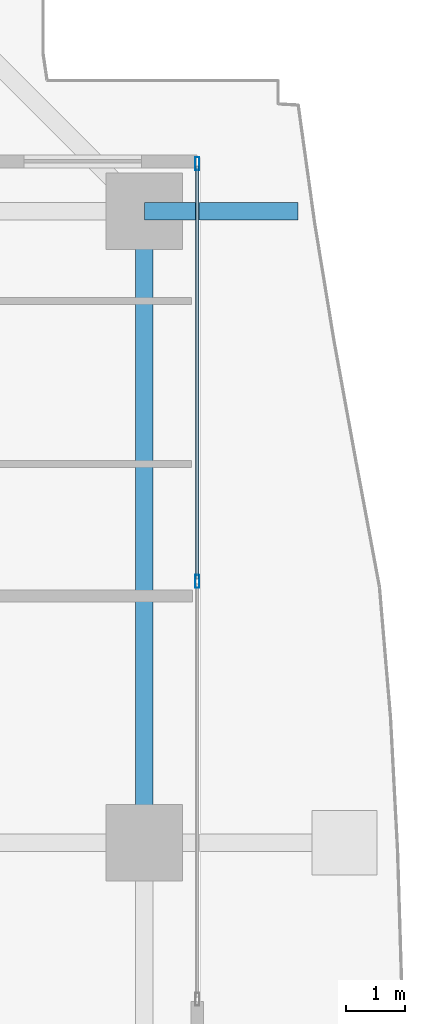
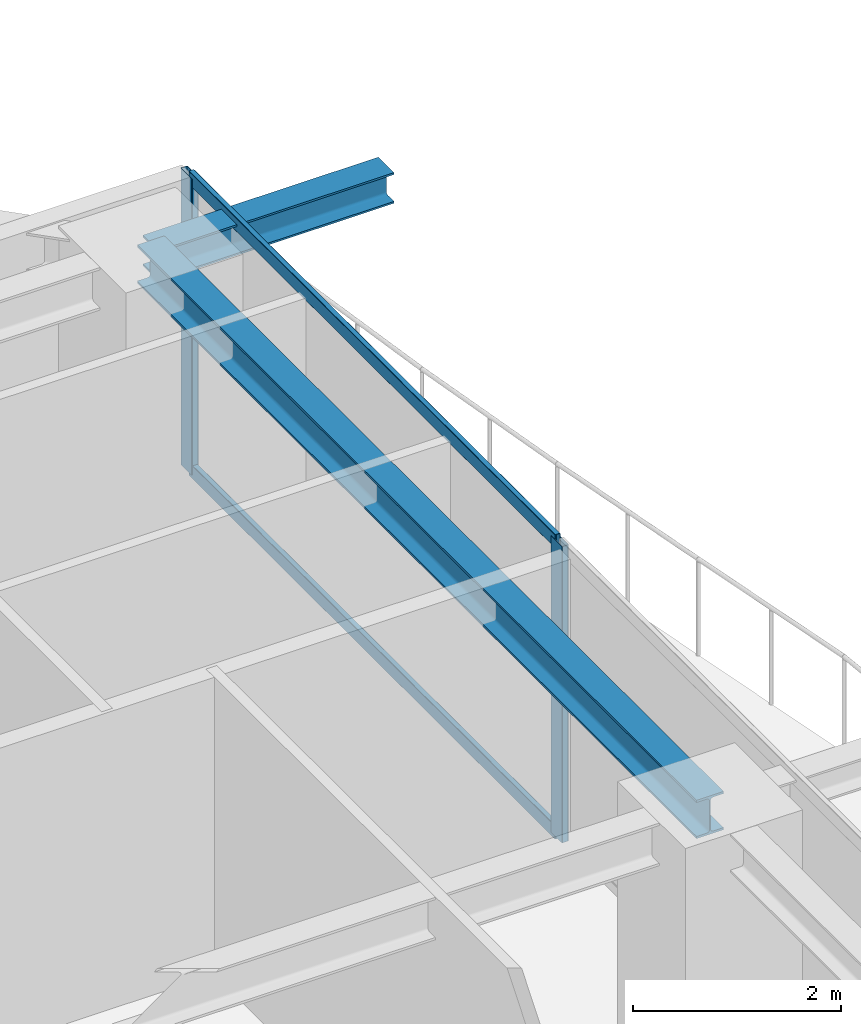
# One storey, part 22 of 35: 4 members, 2 beams, 1 element without a shape of its own.
"""IFC4 building model written with IfcOpenShell, lengths in metres."""

from ifc_helpers import new_model, si_unit, direction, frame, origin, origin_2d, place, context, subcontext, project, spatial, hollow_rectangle, i_section, extrude, source, transform, mapped, material, layer, layer_set, material_profile, profile_set, type_object, element, aggregate, save


model = new_model("IFC4")

# Units and contexts
model_context = context("Model", 3, precision=1e-05, world=origin(), true_north=direction((0.0, 1.0)))
body_context = subcontext(model_context, "Body", "Model", "MODEL_VIEW")
ifc_project = project(units=[si_unit("LENGTHUNIT", "METRE"), si_unit("AREAUNIT", "SQUARE_METRE"), si_unit("VOLUMEUNIT", "CUBIC_METRE"), si_unit("PLANEANGLEUNIT", "RADIAN"), si_unit("MASSUNIT", "GRAM", prefix="KILO")], contexts=[model_context])

# Site, building, storey
site_placement = place(None, origin())
site = spatial("IfcSite", under=ifc_project, at=site_placement, CompositionType="ELEMENT")
building_placement = place(site_placement, origin())
building = spatial("IfcBuilding", under=site, at=building_placement, Name="Serunith Strait Residences", CompositionType="ELEMENT")
storey_placement = place(building_placement, frame((0.0, 0.0, 191.39990234375)))
storey = spatial("IfcBuildingStorey", under=building, at=storey_placement, Name="L48", CompositionType="ELEMENT", Elevation=191.39990234375)

# Beams
ifc_material_1 = material(Name="Steel S355J2", Category="steel")
ifc_material_profile_1 = material_profile(ifc_material_1, i_section(OverallWidth=0.300048828125, OverallDepth=0.449951171875, WebThickness=0.013916015625, FlangeThickness=0.02587890625, FilletRadius=0.027099609375, at=origin_2d()), Name="HEB 450")
ifc_profile_set_1 = profile_set([ifc_material_profile_1], Name="Steel S355J2")
beam_type_1 = type_object("IfcBeamType", Name="BM-HEB450", PredefinedType="BEAM", material=ifc_profile_set_1)
shared_shape_1 = source(origin(), body_context, "Body", "SweptSolid", [
    extrude(i_section(OverallWidth=0.300048828125, OverallDepth=0.449951171875, WebThickness=0.013916015625, FlangeThickness=0.02587890625, FilletRadius=0.027099609375, at=origin_2d()), origin(), (0.0, 0.0, 1.0), 10.75),
])
beam_1_placement = place(storey_placement, frame((56.10009765625, 29.39990234375, 3.26220703125), z_axis=(0.0, 1.0, 0.0), x_axis=(-1.0, 0.0, 0.0)))
element("IfcBeam", 1, at=beam_1_placement, inside=storey, type_object=beam_type_1, Name="L48 Perimeter Ring Beam 07", PredefinedType="BEAM", context=body_context, shape_type="MappedRepresentation", body=[
    mapped(shared_shape_1, transform((0.0, 0.0, 0.0), scale=1.0)),
])
ifc_material_profile_2 = material_profile(ifc_material_1, i_section(OverallWidth=0.300048828125, OverallDepth=0.360107421875, WebThickness=0.012451171875, FlangeThickness=0.0224609375, FilletRadius=0.027099609375, at=origin_2d()), Name="HEB 360")
ifc_profile_set_2 = profile_set([ifc_material_profile_2], Name="Steel S355J2")
beam_type_2 = type_object("IfcBeamType", Name="BM-HEB360", PredefinedType="BEAM", material=ifc_profile_set_2)
shared_shape_2 = source(origin(), body_context, "Body", "SweptSolid", [
    extrude(i_section(OverallWidth=0.300048828125, OverallDepth=0.360107421875, WebThickness=0.012451171875, FlangeThickness=0.0224609375, FilletRadius=0.027099609375, at=origin_2d()), origin(), (0.0, 0.0, 1.0), 2.612060546875),
])
beam_2_placement = place(storey_placement, frame((56.10009765625, 40.14990234375, 3.277099609375), z_axis=(1.0, 0.0, 0.0), x_axis=(0.0, 1.0, 0.0)))
element("IfcBeam", 2, at=beam_2_placement, inside=storey, type_object=beam_type_2, Name="L49 Cantilevered Balcony Rib TC-E4", PredefinedType="BEAM", context=body_context, shape_type="MappedRepresentation", body=[
    mapped(shared_shape_2, transform((0.0, 0.0, 0.0), scale=1.0)),
])

# Curtain wall, members
ifc_material_2 = material(Name="Pale-Silver PVDF Aluminium", Category="aluminium")
ifc_layer = layer(ifc_material_2, 0.199951171875, Name="Pale-Silver PVDF Aluminium")
ifc_layer_set = layer_set([ifc_layer], Name="Pale-Silver PVDF Aluminium")
curtain_wall_type = type_object("IfcCurtainWallType", Name="CW-SYS3", PredefinedType="NOTDEFINED", material=ifc_layer_set)
curtain_wall_placement = place(storey_placement, origin())
curtain_wall = element("IfcCurtainWall", 3, at=curtain_wall_placement, inside=storey, type_object=curtain_wall_type, Name="L48 E Unitised Fritted Curtain Wall", PredefinedType="NOTDEFINED")
ifc_material_profile_3 = material_profile(ifc_material_2, hollow_rectangle(XDim=0.074951171875, YDim=0.219970703125, WallThickness=0.00390625, InnerFilletRadius=0.006103515625, OuterFilletRadius=0.010009765625, at=origin_2d()), Name="ALU 220x75x4")
ifc_profile_set_3 = profile_set([ifc_material_profile_3], Name="Pale-Silver PVDF Aluminium")
member_type_1 = type_object("IfcMemberType", Name="CW-SYS3-MULL", PredefinedType="MULLION", material=ifc_profile_set_3)
shared_shape_3 = source(origin(), body_context, "Body", "SweptSolid", [
    extrude(hollow_rectangle(XDim=0.074951171875, YDim=0.219970703125, WallThickness=0.00390625, InnerFilletRadius=0.006103515625, OuterFilletRadius=0.010009765625, at=origin_2d()), origin(), (0.0, 0.0, 1.0), 3.47509765625),
])
member_1_placement = place(storey_placement, frame((57.0, 33.85009765625, 0.0), z_axis=(0.0, 0.0, 1.0), x_axis=(-1.0, 0.0, 0.0)))
member_1 = element("IfcMember", 4, at=member_1_placement, type_object=member_type_1, Name="CW-3 mullion 2", PredefinedType="MULLION", context=body_context, shape_type="MappedRepresentation", body=[
    mapped(shared_shape_3, transform((0.0, 0.0, 0.0), scale=1.0)),
])
member_2_placement = place(storey_placement, frame((57.0, 40.96240234375, 0.0), z_axis=(0.0, 0.0, 1.0), x_axis=(-1.0, 0.0, 0.0)))
member_2 = element("IfcMember", 5, at=member_2_placement, type_object=member_type_1, Name="CW-3 mullion 3", PredefinedType="MULLION", context=body_context, shape_type="MappedRepresentation", body=[
    mapped(shared_shape_3, transform((0.0, 0.0, 0.0), scale=1.0)),
])
ifc_material_profile_4 = material_profile(ifc_material_2, hollow_rectangle(XDim=0.06005859375, YDim=0.159912109375, WallThickness=0.00341796875, InnerFilletRadius=0.00537109375, OuterFilletRadius=0.0087890625, at=origin_2d()), Name="ALU 160x60x3.5")
ifc_profile_set_4 = profile_set([ifc_material_profile_4], Name="Pale-Silver PVDF Aluminium")
member_type_2 = type_object("IfcMemberType", Name="CW-SYS3-TRAN", PredefinedType="USERDEFINED", material=ifc_profile_set_4)
shared_shape_4 = source(origin(), body_context, "Body", "SweptSolid", [
    extrude(hollow_rectangle(XDim=0.06005859375, YDim=0.159912109375, WallThickness=0.00341796875, InnerFilletRadius=0.00537109375, OuterFilletRadius=0.0087890625, at=origin_2d()), origin(), (0.0, 0.0, 1.0), 7.03759765625),
])
member_3_placement = place(storey_placement, frame((57.0, 33.887451171875, 0.030029296875), z_axis=(0.0, 1.0, 0.0), x_axis=(-1.0, 0.0, 0.0)))
member_3 = element("IfcMember", 6, at=member_3_placement, type_object=member_type_2, Name="CW-3 transom 2.1", ObjectType="TRANSOM", PredefinedType="USERDEFINED", context=body_context, shape_type="MappedRepresentation", body=[
    mapped(shared_shape_4, transform((0.0, 0.0, 0.0), scale=1.0)),
])
member_4_placement = place(storey_placement, frame((57.0, 33.887451171875, 3.445068359375), z_axis=(0.0, 1.0, 0.0), x_axis=(-1.0, 0.0, 0.0)))
member_4 = element("IfcMember", 7, at=member_4_placement, type_object=member_type_2, Name="CW-3 transom 2.2", ObjectType="TRANSOM", PredefinedType="USERDEFINED", context=body_context, shape_type="MappedRepresentation", body=[
    mapped(shared_shape_4, transform((0.0, 0.0, 0.0), scale=1.0)),
])
aggregate(curtain_wall, [member_1, member_2, member_3, member_4])

save(model, "model.ifc")
